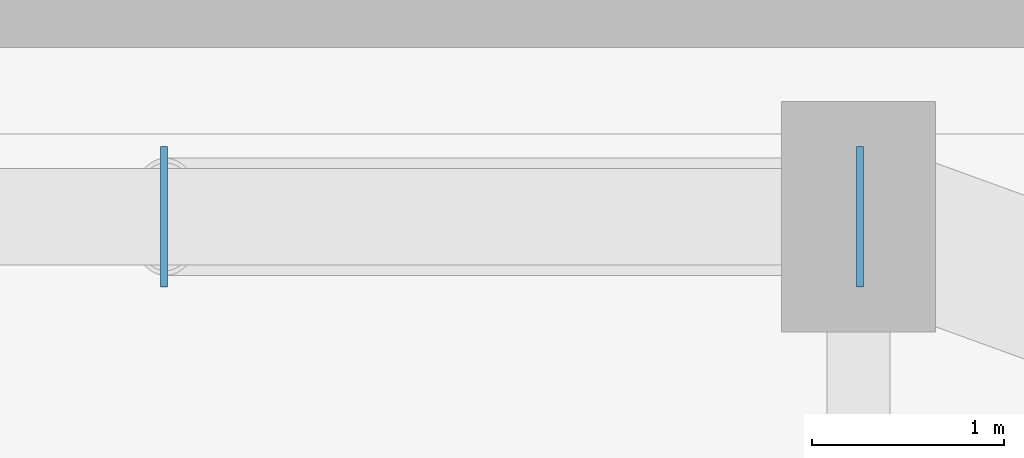
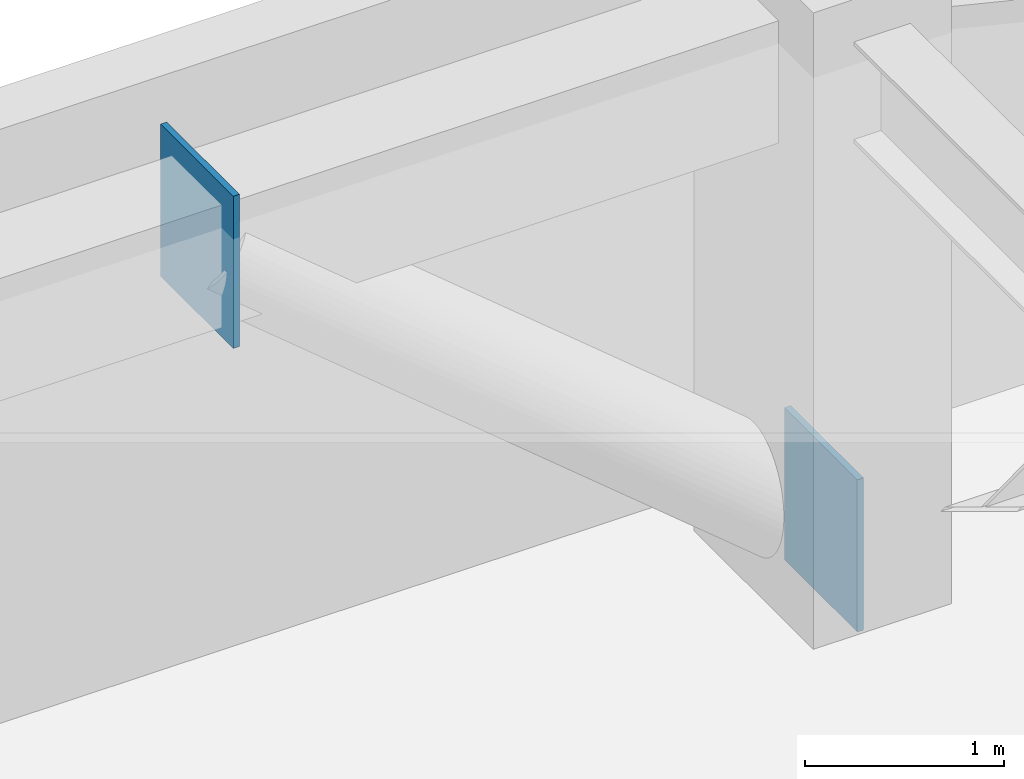
# One storey, part 17 of 24: 2 plates.
"""IFC4 building model written with IfcOpenShell, lengths in metres."""

from ifc_helpers import new_model, si_unit, direction, frame, origin, origin_2d, place, context, subcontext, project, spatial, rectangle, extrude, material, layer, layer_set, type_object, element, save


model = new_model("IFC4")

# Units and contexts
model_context = context("Model", 3, precision=1e-05, world=origin(), true_north=direction((0.0, 1.0)))
body_context = subcontext(model_context, "Body", "Model", "MODEL_VIEW")
ifc_project = project(units=[si_unit("LENGTHUNIT", "METRE"), si_unit("AREAUNIT", "SQUARE_METRE"), si_unit("VOLUMEUNIT", "CUBIC_METRE"), si_unit("PLANEANGLEUNIT", "RADIAN"), si_unit("MASSUNIT", "GRAM", prefix="KILO")], contexts=[model_context])

# Site, building, storey
site_placement = place(None, origin())
site = spatial("IfcSite", under=ifc_project, at=site_placement, CompositionType="ELEMENT")
building_placement = place(site_placement, origin())
building = spatial("IfcBuilding", under=site, at=building_placement, Name="Kiyonajd Concourse Tower", CompositionType="ELEMENT")
storey_placement = place(building_placement, frame((0.0, 0.0, 129.89990234375)))
storey = spatial("IfcBuildingStorey", under=building, at=storey_placement, Name="L33", CompositionType="ELEMENT", Elevation=129.89990234375)

# Plates
ifc_material = material(Name="Steel ASTM A572 Grade 50", Category="steel")
ifc_layer = layer(ifc_material, 0.028076171875)
ifc_layer_set = layer_set([ifc_layer], Name="Steel ASTM A572 Grade 50")
plate_type = type_object("IfcPlateType", Name="PL-CAP-450", PredefinedType="USERDEFINED", material=ifc_layer_set)
for number, where, z_axis, x_axis, name in (
    (1, (63.6083984375, 61.199951171875, -0.17333984375), (0.0, 0.0, 1.0), (1.0, 0.0, 0.0), "L33 Hollow Brace End Cap Plate PBN"),
    (2, (59.991455078125, 61.199951171875, 2.83056640625), (0.0, 0.0, 1.0), (-1.0, 0.0, 0.0), "L33 Hollow Brace Top Cap Plate PBN"),
):
    element("IfcPlate", number, at=place(storey_placement, frame(where, z_axis=z_axis, x_axis=x_axis)), inside=storey, type_object=plate_type, Name=name, ObjectType="CAP PLATE", PredefinedType="USERDEFINED", context=body_context, shape_type="SweptSolid", body=[
        extrude(rectangle(XDim=0.035888671875, YDim=0.72998046875, at=origin_2d()), origin(), (0.0, 0.0, 1.0), 0.93310546875),
    ])

save(model, "model.ifc")
